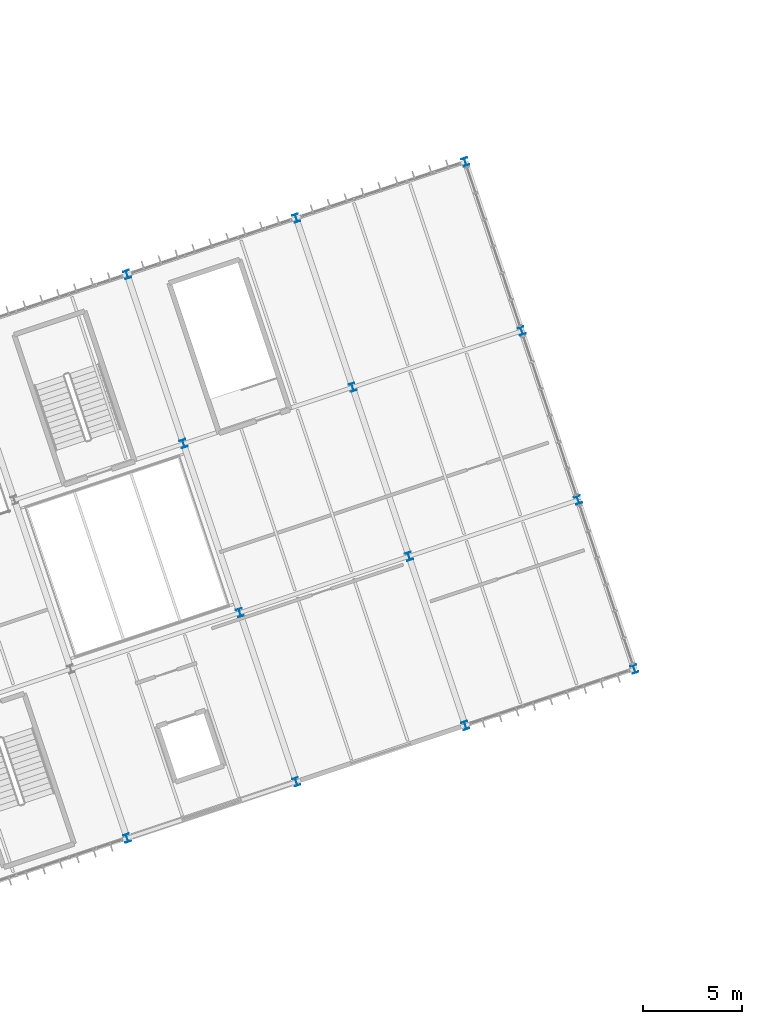
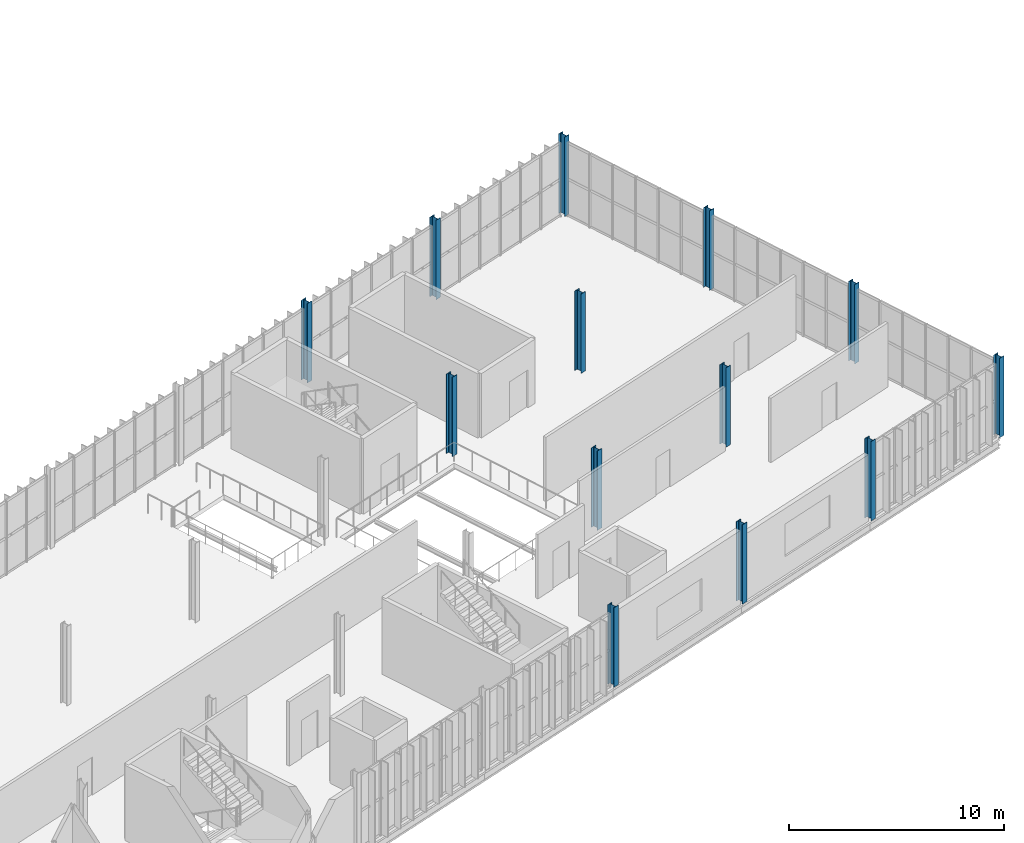
# One storey, part 10 of 152: 13 columns.
"""IFC4 building model written with IfcOpenShell, lengths in metres."""

import ifcopenshell
import ifcopenshell.guid

model = None  # the IFC model being written
_history = None  # IfcOwnerHistory: only IFC2X3 demands one
_inside = {}  # id of a spatial element -> (the spatial element, [elements in it])
_under = {}  # id of a project, library or spatial element -> (it, [spatial elements below it])
_declared = {}  # id of a project -> (the project, [libraries it declares])
_typed = {}  # id of a type object -> (the type object, [elements of that type])
_made_of = {}  # id of a material, layer set ... -> (it, [elements and type objects made of it])


def new_model(schema):
    """Start an empty IFC model of exactly this schema.

    Asked for "IFC4X3", IfcOpenShell would pick the latest addendum, in which some entities
    have other attributes; the version numbers below select the first issue.
    IFC2X3 requires an IfcOwnerHistory on every rooted entity: one is made here for all.
    """
    global model, _history
    if schema == "IFC4X3":
        model = ifcopenshell.file(schema_version=(4, 3, 0, 0))
    else:
        model = ifcopenshell.file(schema=schema)
    _inside.clear()
    _under.clear()
    _declared.clear()
    _typed.clear()
    _made_of.clear()
    _history = None
    if model.schema == "IFC2X3":
        org = make("IfcOrganization", Name="unknown")
        user = make(
            "IfcPersonAndOrganization",
            ThePerson=make("IfcPerson", FamilyName="unknown"),
            TheOrganization=org,
        )
        app = make(
            "IfcApplication",
            ApplicationDeveloper=org,
            Version="unknown",
            ApplicationFullName="unknown",
            ApplicationIdentifier="unknown",
        )
        _history = make(
            "IfcOwnerHistory",
            OwningUser=user,
            OwningApplication=app,
            ChangeAction="ADDED",
            CreationDate=0,
        )
    return model


def make(cls, **values):
    """One entity of the class cls with the attributes given. An attribute that is None is left unset."""
    return model.create_entity(
        cls, **{name: value for name, value in values.items() if value is not None}
    )


def rooted(cls, **values):
    """An entity with a GlobalId (a new one), such as an element, a storey or a relation."""
    return make(cls, GlobalId=ifcopenshell.guid.new(), OwnerHistory=_history, **values)


def si_unit(unit_type, name, prefix=None):
    """IfcSIUnit, for example si_unit("LENGTHUNIT", "METRE", prefix="MILLI")."""
    return make("IfcSIUnit", UnitType=unit_type, Prefix=prefix, Name=name)


def derived_unit(unit_type, elements):
    """IfcDerivedUnit: a product of units, each with its exponent."""
    return make(
        "IfcDerivedUnit",
        Elements=[
            make("IfcDerivedUnitElement", Unit=unit, Exponent=power)
            for unit, power in elements
        ],
        UnitType=unit_type,
    )


def assignment(units):
    """IfcUnitAssignment: the units of a project."""
    return None if units is None else make("IfcUnitAssignment", Units=units)


def point(xyz):
    """IfcCartesianPoint."""
    return None if xyz is None else make("IfcCartesianPoint", Coordinates=xyz)


def direction(xyz):
    """IfcDirection."""
    return None if xyz is None else make("IfcDirection", DirectionRatios=xyz)


def frame(location, z_axis=None, x_axis=None):
    """IfcAxis2Placement3D, a coordinate frame: its origin and axes. An axis left out is left unset."""
    return make(
        "IfcAxis2Placement3D",
        Location=point(location),
        Axis=direction(z_axis),
        RefDirection=direction(x_axis),
    )


def frame_2d(location, x_axis=None):
    """IfcAxis2Placement2D, a coordinate frame in the plane: its origin and x axis."""
    return make(
        "IfcAxis2Placement2D", Location=point(location), RefDirection=direction(x_axis)
    )


def origin():
    """The frame at (0, 0, 0) with its axes left unset."""
    return frame((0.0, 0.0, 0.0))


def origin_2d():
    """The frame at (0, 0) in the plane with its x axis left unset."""
    return frame_2d((0.0, 0.0))


def place(relative_to, where):
    """IfcLocalPlacement: puts the frame where relative to a parent placement (None: the world)."""
    return make(
        "IfcLocalPlacement", PlacementRelTo=relative_to, RelativePlacement=where
    )


def context(
    kind, dimensions, precision=None, world=None, true_north=None, identifier=None
):
    """IfcGeometricRepresentationContext, for example the 3D "Model" context."""
    return make(
        "IfcGeometricRepresentationContext",
        ContextIdentifier=identifier,
        ContextType=kind,
        CoordinateSpaceDimension=dimensions,
        Precision=precision,
        WorldCoordinateSystem=world,
        TrueNorth=true_north,
    )


def subcontext(parent, identifier, kind, view, scale=None):
    """IfcGeometricRepresentationSubContext, for example "Body" below "Model"."""
    return make(
        "IfcGeometricRepresentationSubContext",
        ContextIdentifier=identifier,
        ContextType=kind,
        ParentContext=parent,
        TargetScale=scale,
        TargetView=view,
    )


def project(units=None, contexts=None):
    """IfcProject with its units and contexts."""
    return rooted(
        "IfcProject",
        Name="project",
        RepresentationContexts=contexts,
        UnitsInContext=assignment(units),
    )


def spatial(cls, under=None, at=None, **own):
    """A site, building, storey or space (cls), placed at a placement, below another one or the project."""
    s = rooted(cls, ObjectPlacement=at, **own)
    if under is not None:
        _under.setdefault(under.id(), (under, []))[1].append(s)
    return s


def profile(cls, at=None, kind="AREA", **sizes):
    """A parametric profile (cls). Its sizes go by their IFC names, for example OverallWidth=200.0."""
    return make(cls, ProfileType=kind, Position=at, **sizes)


def i_section(**sizes):
    """IfcIShapeProfileDef."""
    return profile("IfcIShapeProfileDef", **sizes)


def extrude(swept, where, along, depth):
    """IfcExtrudedAreaSolid: the profile swept, set in the frame where, extruded along a direction by depth."""
    return make(
        "IfcExtrudedAreaSolid",
        SweptArea=swept,
        Position=where,
        ExtrudedDirection=direction(along),
        Depth=depth,
    )


def shape(context_of_items, identifier, shape_type, items):
    """IfcShapeRepresentation: the items that make up one representation, for example the "Body"."""
    return make(
        "IfcShapeRepresentation",
        ContextOfItems=context_of_items,
        RepresentationIdentifier=identifier,
        RepresentationType=shape_type,
        Items=items,
    )


def material(Name=None, Category=None):
    """IfcMaterial."""
    return make("IfcMaterial", Name=Name, Category=Category)


def material_profile(
    of_material, cross_section, Name=None, Category=None, Priority=None
):
    """IfcMaterialProfile: a cross section and its material."""
    return make(
        "IfcMaterialProfile",
        Name=Name,
        Material=of_material,
        Profile=cross_section,
        Priority=Priority,
        Category=Category,
    )


def profile_set(profiles, Name=None, composite=None):
    """IfcMaterialProfileSet."""
    return make(
        "IfcMaterialProfileSet",
        Name=Name,
        MaterialProfiles=profiles,
        CompositeProfile=composite,
    )


def made_of(thing, what):
    """Note that an element or type object is made of a material, layer set ...; save() writes the relation."""
    if what is not None:
        _made_of.setdefault(what.id(), (what, []))[1].append(thing)
    return thing


def type_object(cls, material=None, **own):
    """A type object (cls), such as IfcWallType, which elements share."""
    return made_of(rooted(cls, **own), material)


def element(
    cls,
    number,
    at=None,
    inside=None,
    cuts=None,
    type_object=None,
    material=None,
    context=None,
    identifier="Body",
    shape_type=None,
    held_by="IfcProductDefinitionShape",
    body=None,
    shapes=None,
    **own,
):
    """One element of the class cls, such as IfcWall. Its Tag is "e" and its number.

    at: its placement. inside: the storey or other place that contains it. cuts: it is an
    opening in that element (IfcRelVoidsElement). A single representation is given by context,
    identifier, shape_type and body (its items); several are given by shapes. held_by: the class
    of the entity that holds the representations. save() writes the other relations.
    """
    e = rooted(cls, Tag="e%d" % number, ObjectPlacement=at, **own)
    if body is not None:
        shapes = [shape(context, identifier, shape_type, body)]
    if shapes is not None:
        e.Representation = make(held_by, Representations=shapes)
    if inside is not None:
        _inside.setdefault(inside.id(), (inside, []))[1].append(e)
    if cuts is not None:
        rooted(
            "IfcRelVoidsElement", RelatingBuildingElement=cuts, RelatedOpeningElement=e
        )
    if type_object is not None:
        _typed.setdefault(type_object.id(), (type_object, []))[1].append(e)
    return made_of(e, material)


def aggregate(whole, parts):
    """IfcRelAggregates: a whole, such as a stair, and the parts it consists of."""
    return rooted("IfcRelAggregates", RelatingObject=whole, RelatedObjects=parts)


def save(model, path):
    """Write the relations noted so far, then the file.

    IfcRelAggregates (storeys below a building ...), IfcRelContainedInSpatialStructure (elements
    in a storey), IfcRelDefinesByType, IfcRelAssociatesMaterial and IfcRelDeclares: one each for
    every whole, place, type object, material and project.
    """
    for whole, parts in _under.values():
        aggregate(whole, parts)
    for where, things in _inside.values():
        rooted(
            "IfcRelContainedInSpatialStructure",
            RelatedElements=things,
            RelatingStructure=where,
        )
    for kind, things in _typed.values():
        rooted("IfcRelDefinesByType", RelatedObjects=things, RelatingType=kind)
    for what, things in _made_of.values():
        rooted("IfcRelAssociatesMaterial", RelatedObjects=things, RelatingMaterial=what)
    for by, libraries in _declared.values():
        rooted("IfcRelDeclares", RelatingContext=by, RelatedDefinitions=libraries)
    model.write(path)


model = new_model("IFC4")

# Units and contexts
model_context = context("Model", 3, precision=1e-05, world=origin(), true_north=direction((0.0, 1.0)))
body_context = subcontext(model_context, "Body", "Model", "MODEL_VIEW")
ifc_project = project(units=[si_unit("LENGTHUNIT", "METRE"), si_unit("AREAUNIT", "SQUARE_METRE"), si_unit("VOLUMEUNIT", "CUBIC_METRE"), si_unit("PLANEANGLEUNIT", "RADIAN"), si_unit("MASSUNIT", "GRAM", prefix="KILO"), si_unit("THERMODYNAMICTEMPERATUREUNIT", "KELVIN"), si_unit("TIMEUNIT", "SECOND"), derived_unit("THERMALTRANSMITTANCEUNIT", [(si_unit("MASSUNIT", "GRAM", prefix="KILO"), 1), (si_unit("THERMODYNAMICTEMPERATUREUNIT", "KELVIN"), -1), (si_unit("TIMEUNIT", "SECOND"), -3)])], contexts=[model_context])

# Site, building, storey
site_placement = place(None, origin())
site = spatial("IfcSite", under=ifc_project, at=site_placement, CompositionType="ELEMENT")
building_placement = place(site_placement, origin())
building = spatial("IfcBuilding", under=site, at=building_placement, Name="Cambertide Market Hall", CompositionType="ELEMENT")
storey_placement = place(building_placement, frame((0.0, 0.0, 5.39990234375)))
storey = spatial("IfcBuildingStorey", under=building, at=storey_placement, Name="L02", CompositionType="ELEMENT", Elevation=5.39990234375)

# Columns
ifc_material_1 = material(Name="Steel S355", Category="steel")
ifc_material_profile_1 = material_profile(ifc_material_1, i_section(OverallWidth=0.300048828125, OverallDepth=0.39990234375, WebThickness=0.013427734375, FlangeThickness=0.02392578125, FilletRadius=0.027099609375, at=origin_2d()), Name="HEB 400")
ifc_profile_set_1 = profile_set([ifc_material_profile_1], Name="Steel S355")
column_type_1 = type_object("IfcColumnType", Name="Exterior Steel Column HEB 400", PredefinedType="COLUMN", material=ifc_profile_set_1)
for number, where, z_axis, x_axis, name in (
    (1, (140.152587890625, 23.38427734375, 0.0), (0.0, 0.0, 1.0), (0.94868329805, 0.316227766018, 0.0), "Level 2 Column COL-V3-5-1-L02"),
    (2, (148.690673828125, 26.230224609375, 0.0), (0.0, 0.0, 1.0), (0.94868329805, 0.316227766018, 0.0), "Level 2 Column COL-V3-6-1-L02"),
    (3, (140.152587890625, 51.8447265625, 0.0), (0.0, 0.0, 1.0), (0.94868329805, 0.316227766018, 0.0), "Level 2 Column COL-V3-6-4-L02"),
    (4, (157.22900390625, 29.076416015625, 0.0), (0.0, 0.0, 1.0), (0.94868329805, 0.316227766018, 0.0), "Level 2 Column COL-V3-7-1-L02"),
    (5, (148.690673828125, 54.690673828125, 0.0), (0.0, 0.0, 1.0), (0.94868329805, 0.316227766018, 0.0), "Level 2 Column COL-V3-7-4-L02"),
    (6, (165.76708984375, 31.92236328125, 0.0), (0.0, 0.0, 1.0), (0.94868329805, 0.316227766018, 0.0), "Level 2 Column COL-V3-8-1-L02"),
    (7, (162.9208984375, 40.46044921875, 0.0), (0.0, 0.0, 1.0), (0.94868329805, 0.316227766018, 0.0), "Level 2 Column COL-V3-8-2-L02"),
    (8, (160.074951171875, 48.99853515625, 0.0), (0.0, 0.0, 1.0), (0.94868329805, 0.316227766018, 0.0), "Level 2 Column COL-V3-8-3-L02"),
    (9, (157.22900390625, 57.536865234375, 0.0), (0.0, 0.0, 1.0), (0.94868329805, 0.316227766018, 0.0), "Level 2 Column COL-V3-8-4-L02"),
):
    element("IfcColumn", number, at=place(storey_placement, frame(where, z_axis=z_axis, x_axis=x_axis)), inside=storey, type_object=column_type_1, Name=name, PredefinedType="COLUMN", context=body_context, shape_type="SweptSolid", body=[
        extrude(i_section(OverallWidth=0.300048828125, OverallDepth=0.39990234375, WebThickness=0.013427734375, FlangeThickness=0.02392578125, FilletRadius=0.027099609375, at=origin_2d()), origin(), (0.0, 0.0, 1.0), 4.5),
    ])
ifc_material_2 = material(Name="Steel S355", Category="steel")
ifc_material_profile_2 = material_profile(ifc_material_2, i_section(OverallWidth=0.300048828125, OverallDepth=0.39990234375, WebThickness=0.013427734375, FlangeThickness=0.02392578125, FilletRadius=0.027099609375, at=origin_2d()), Name="HEB 400")
ifc_profile_set_2 = profile_set([ifc_material_profile_2], Name="Steel S355")
column_type_2 = type_object("IfcColumnType", Name="Steel Column HEB 400", PredefinedType="COLUMN", material=ifc_profile_set_2)
for number, where, z_axis, x_axis, name in (
    (10, (145.8447265625, 34.768310546875, 0.0), (0.0, 0.0, 1.0), (0.94868329805, 0.316227766018, 0.0), "Level 2 Column COL-V3-6-2-L02"),
    (11, (142.99853515625, 43.306640625, 0.0), (0.0, 0.0, 1.0), (0.94868329805, 0.316227766018, 0.0), "Level 2 Column COL-V3-6-3-L02"),
    (12, (154.3828125, 37.614501953125, 0.0), (0.0, 0.0, 1.0), (0.94868329805, 0.316227766018, 0.0), "Level 2 Column COL-V3-7-2-L02"),
    (13, (151.536865234375, 46.152587890625, 0.0), (0.0, 0.0, 1.0), (0.94868329805, 0.316227766018, 0.0), "Level 2 Column COL-V3-7-3-L02"),
):
    element("IfcColumn", number, at=place(storey_placement, frame(where, z_axis=z_axis, x_axis=x_axis)), inside=storey, type_object=column_type_2, Name=name, PredefinedType="COLUMN", context=body_context, shape_type="SweptSolid", body=[
        extrude(i_section(OverallWidth=0.300048828125, OverallDepth=0.39990234375, WebThickness=0.013427734375, FlangeThickness=0.02392578125, FilletRadius=0.027099609375, at=origin_2d()), origin(), (0.0, 0.0, 1.0), 4.5),
    ])

save(model, "model.ifc")
